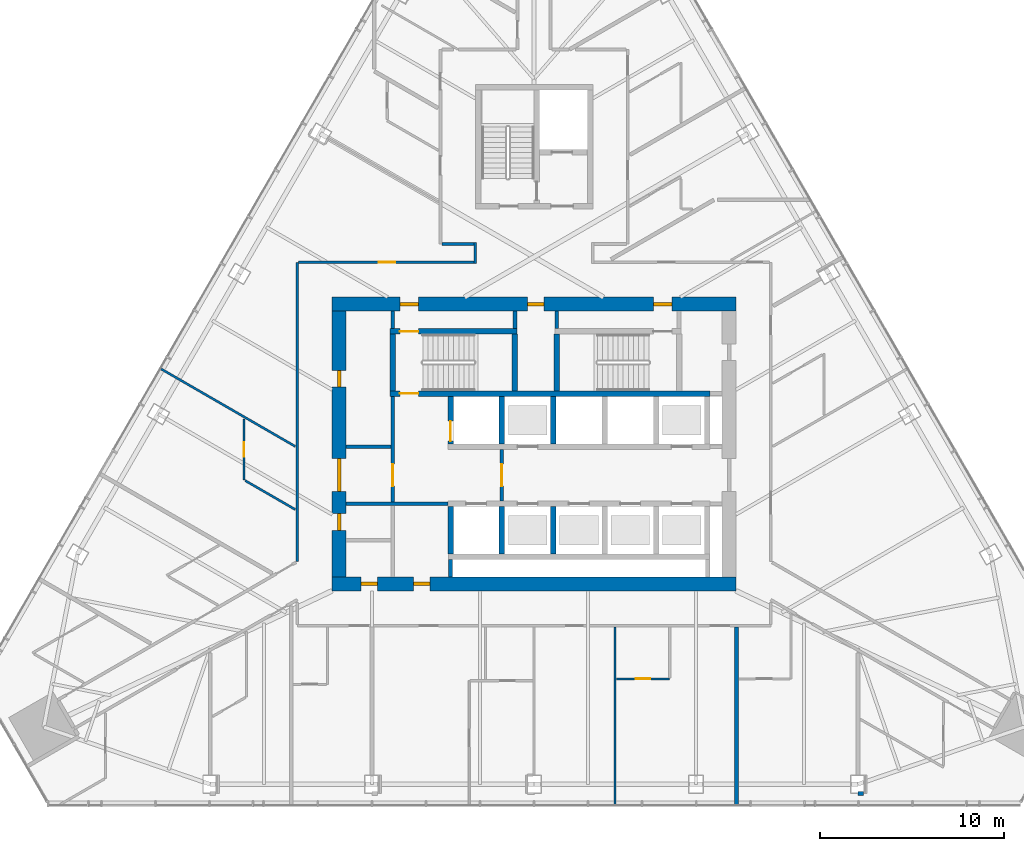
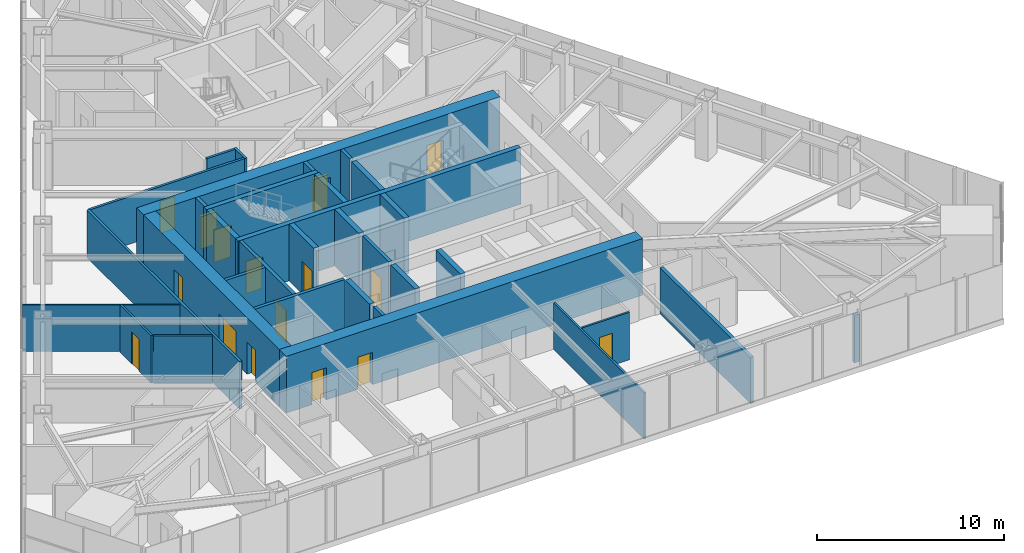
# One storey, part 14 of 19: 33 walls, 16 doors, 16 openings.
"""IFC4 building model written with IfcOpenShell, lengths in metres."""

from ifc_helpers import new_model, si_unit, direction, frame, frame_2d, origin, place, context, subcontext, project, spatial, rectangle, extrude, material, layer, layer_set, type_object, element, fill, save


model = new_model("IFC4")

# Units and contexts
model_context = context("Model", 3, precision=1e-05, world=origin(), true_north=direction((0.0, 1.0)))
body_context = subcontext(model_context, "Body", "Model", "MODEL_VIEW")
ifc_project = project(units=[si_unit("LENGTHUNIT", "METRE"), si_unit("AREAUNIT", "SQUARE_METRE"), si_unit("VOLUMEUNIT", "CUBIC_METRE"), si_unit("PLANEANGLEUNIT", "RADIAN"), si_unit("MASSUNIT", "GRAM", prefix="KILO")], contexts=[model_context])

# Site, building, storey
site_placement = place(None, origin())
site = spatial("IfcSite", under=ifc_project, at=site_placement, CompositionType="ELEMENT")
building_placement = place(site_placement, origin())
building = spatial("IfcBuilding", under=site, at=building_placement, Name="Firuza Gate Tower and Library", CompositionType="ELEMENT")
storey_placement = place(building_placement, frame((0.0, 0.0, 183.10009765625)))
storey = spatial("IfcBuildingStorey", under=building, at=storey_placement, Name="L42", CompositionType="ELEMENT", Elevation=183.10009765625)

# Walls
ifc_material_1 = material(Name="Plasterboard on steel studs", Category="steel")
ifc_layer_1 = layer(ifc_material_1, 0.199951171875)
ifc_layer_set_1 = layer_set([ifc_layer_1], Name="Core partition 200 EI 120")
wall_type_1 = type_object("IfcWallType", Name="Core partition 200 EI 120", PredefinedType="PARTITIONING", material=ifc_layer_set_1)
wall_1_placement = place(storey_placement, frame((64.75, 71.75, 0.0), z_axis=(0.0, 0.0, 1.0), x_axis=(1.0, 0.0, 0.0)))
element("IfcWall", 1, at=wall_1_placement, inside=storey, type_object=wall_type_1, Name="Core partition L42 2", PredefinedType="PARTITIONING", context=body_context, shape_type="SweptSolid", body=[
    extrude(rectangle(XDim=5.550048828125, YDim=0.199951171875, at=frame_2d((2.77490234375, 0.0))), origin(), (0.0, 0.0, 1.0), 3.699951171875),
])
wall_2_placement = place(storey_placement, frame((64.75, 74.85009765625, 0.0), z_axis=(0.0, 0.0, 1.0), x_axis=(1.0, 0.0, 0.0)))
element("IfcWall", 2, at=wall_2_placement, inside=storey, type_object=wall_type_1, Name="Core partition L42 4", PredefinedType="PARTITIONING", context=body_context, shape_type="SweptSolid", body=[
    extrude(rectangle(XDim=2.449951171875, YDim=0.199951171875, at=frame_2d((1.22509765625, 0.0))), origin(), (0.0, 0.0, 1.0), 3.699951171875),
])

# Wall, opening, door
wall_3_placement = place(storey_placement, frame((67.300048828125, 71.85009765625, 0.0), z_axis=(0.0, 0.0, 1.0), x_axis=(0.0, 1.0, 0.0)))
wall_3 = element("IfcWall", 3, at=wall_3_placement, inside=storey, type_object=wall_type_1, Name="Core partition L42 8", PredefinedType="PARTITIONING", context=body_context, shape_type="SweptSolid", body=[
    extrude(rectangle(XDim=5.75, YDim=0.199951171875, at=frame_2d((2.875, 0.0))), origin(), (0.0, 0.0, 1.0), 3.699951171875),
])
opening_1_placement = place(wall_3_placement, frame((0.85009765625, 0.0, 0.0)))
opening_1 = element("IfcOpeningElement", 4, at=opening_1_placement, cuts=wall_3, Name="Opening L42-K19", PredefinedType="OPENING", context=body_context, shape_type="SweptSolid", body=[
    extrude(rectangle(XDim=1.199951171875, YDim=2.10009765625, at=frame_2d((0.60009765625, 1.050048828125))), frame((0.0, 0.10986328125, 0.0), z_axis=(0.0, -1.0, 0.0), x_axis=(1.0, 0.0, 0.0)), (0.0, 0.0, 1.0), 0.219970703125),
])
ifc_material_2 = material(Name="Steel", Category="steel")
door_type_1 = type_object("IfcDoorType", Name="Fire door 1200x2100 FD90S", OperationType="NOTDEFINED", PredefinedType="DOOR", material=ifc_material_2)
door_1_placement = place(opening_1_placement, origin())
door_1 = element("IfcDoor", 5, at=door_1_placement, inside=storey, type_object=door_type_1, Name="Door L42-K19", OperationType="SINGLE_SWING_RIGHT", OverallHeight=2.10009765625, OverallWidth=1.199951171875, PredefinedType="DOOR", context=body_context, shape_type="SweptSolid", body=[
    extrude(rectangle(XDim=1.199951171875, YDim=2.10009765625, at=frame_2d((0.60009765625, 1.050048828125))), frame((0.0, 0.02490234375, 0.0), z_axis=(0.0, -1.0, 0.0), x_axis=(1.0, 0.0, 0.0)), (0.0, 0.0, 1.0), 0.050048828125),
])
fill(opening_1, door_1)

# Walls
wall_4_placement = place(storey_placement, frame((67.300048828125, 81.280029296875, 0.0), z_axis=(0.0, 0.0, 1.0), x_axis=(0.0, 1.0, 0.0)))
element("IfcWall", 6, at=wall_4_placement, inside=storey, type_object=wall_type_1, Name="Core partition L42 9", PredefinedType="PARTITIONING", context=body_context, shape_type="SweptSolid", body=[
    extrude(rectangle(XDim=0.969970703125, YDim=0.199951171875, at=frame_2d((0.48486328125, 0.0))), origin(), (0.0, 0.0, 1.0), 3.699951171875),
])
wall_5_placement = place(storey_placement, frame((70.449951171875, 67.75, 0.0), z_axis=(0.0, 0.0, 1.0), x_axis=(0.0, 1.0, 0.0)))
element("IfcWall", 7, at=wall_5_placement, inside=storey, type_object=wall_type_1, Name="Core partition L42 10", PredefinedType="PARTITIONING", context=body_context, shape_type="SweptSolid", body=[
    extrude(rectangle(XDim=0.949951171875, YDim=0.199951171875, at=frame_2d((0.47509765625, 0.0))), origin(), (0.0, 0.0, 1.0), 3.699951171875),
])

# Wall, opening, door
ifc_material_3 = material(Name="Plasterboard on steel studs", Category="steel")
ifc_layer_2 = layer(ifc_material_3, 0.199951171875)
ifc_layer_set_2 = layer_set([ifc_layer_2], Name="Core partition 200 EI 60")
wall_type_2 = type_object("IfcWallType", Name="Core partition 200 EI 60", PredefinedType="PARTITIONING", material=ifc_layer_set_2)
wall_6_placement = place(storey_placement, frame((73.25, 71.89990234375, 0.0), z_axis=(0.0, 0.0, 1.0), x_axis=(0.0, 1.0, 0.0)))
wall_6 = element("IfcWall", 8, at=wall_6_placement, inside=storey, type_object=wall_type_2, Name="Core partition L42 11", PredefinedType="PARTITIONING", context=body_context, shape_type="SweptSolid", body=[
    extrude(rectangle(XDim=2.800048828125, YDim=0.199951171875, at=frame_2d((1.39990234375, 0.0))), origin(), (0.0, 0.0, 1.0), 3.699951171875),
])
opening_2_placement = place(wall_6_placement, frame((0.800048828125, 0.0, 0.0)))
opening_2 = element("IfcOpeningElement", 9, at=opening_2_placement, cuts=wall_6, Name="Opening L42-K18", PredefinedType="OPENING", context=body_context, shape_type="SweptSolid", body=[
    extrude(rectangle(XDim=1.199951171875, YDim=2.10009765625, at=frame_2d((0.60009765625, 1.050048828125))), frame((0.0, 0.10986328125, 0.0), z_axis=(0.0, -1.0, 0.0), x_axis=(1.0, 0.0, 0.0)), (0.0, 0.0, 1.0), 0.219970703125),
])
door_2_placement = place(opening_2_placement, origin())
door_2 = element("IfcDoor", 10, at=door_2_placement, inside=storey, type_object=door_type_1, Name="Door L42-K18", OperationType="SINGLE_SWING_LEFT", OverallHeight=2.10009765625, OverallWidth=1.199951171875, PredefinedType="DOOR", context=body_context, shape_type="SweptSolid", body=[
    extrude(rectangle(XDim=1.199951171875, YDim=2.10009765625, at=frame_2d((0.60009765625, 1.050048828125))), frame((0.0, 0.02490234375, 0.0), z_axis=(0.0, -1.0, 0.0), x_axis=(1.0, 0.0, 0.0)), (0.0, 0.0, 1.0), 0.050048828125),
])
fill(opening_2, door_2)

# Walls
for number, where, z_axis, x_axis, name in (
    (11, (73.9599609375, 81.280029296875, 0.0), (0.0, 0.0, 1.0), (0.0, 1.0, 0.0), "Core partition L42 12"),
    (12, (76.239990234375, 81.280029296875, 0.0), (0.0, 0.0, 1.0), (0.0, 1.0, 0.0), "Core partition L42 13"),
):
    element("IfcWall", number, at=place(storey_placement, frame(where, z_axis=z_axis, x_axis=x_axis)), inside=storey, type_object=wall_type_2, Name=name, PredefinedType="PARTITIONING", context=body_context, shape_type="SweptSolid", body=[
        extrude(rectangle(XDim=0.969970703125, YDim=0.199951171875, at=frame_2d((0.48486328125, 0.0))), origin(), (0.0, 0.0, 1.0), 3.699951171875),
    ])
ifc_material_4 = material(Name="Concrete C80/95", Category="concrete")
ifc_layer_3 = layer(ifc_material_4, 0.300048828125)
ifc_layer_set_3 = layer_set([ifc_layer_3], Name="Core wall 300 C80/95")
wall_type_3 = type_object("IfcWallType", Name="Core wall 300 C80/95", PredefinedType="SHEAR", material=ifc_layer_set_3)
wall_7_placement = place(storey_placement, frame((70.449951171875, 69.0, 0.0), z_axis=(0.0, 0.0, 1.0), x_axis=(0.0, 1.0, 0.0)))
element("IfcWall", 13, at=wall_7_placement, inside=storey, type_object=wall_type_3, Name="Core wall L42 8", PredefinedType="SHEAR", context=body_context, shape_type="SweptSolid", body=[
    extrude(rectangle(XDim=2.60009765625, YDim=0.300048828125, at=frame_2d((1.300048828125, 0.0))), origin(), (0.0, 0.0, 1.0), 3.699951171875),
])

# Wall, opening, door
wall_8_placement = place(storey_placement, frame((70.449951171875, 75.0, 0.0), z_axis=(0.0, 0.0, 1.0), x_axis=(0.0, 1.0, 0.0)))
wall_8 = element("IfcWall", 14, at=wall_8_placement, inside=storey, type_object=wall_type_3, Name="Core wall L42 9", PredefinedType="SHEAR", context=body_context, shape_type="SweptSolid", body=[
    extrude(rectangle(XDim=2.60009765625, YDim=0.300048828125, at=frame_2d((1.300048828125, 0.0))), origin(), (0.0, 0.0, 1.0), 3.699951171875),
])
opening_3_placement = place(wall_8_placement, frame((0.14990234375, 0.0, 0.0)))
opening_3 = element("IfcOpeningElement", 15, at=opening_3_placement, cuts=wall_8, Name="Opening LD-FF2-L42", PredefinedType="OPENING", context=body_context, shape_type="SweptSolid", body=[
    extrude(rectangle(XDim=1.10009765625, YDim=2.10009765625, at=frame_2d((0.550048828125, 1.050048828125))), frame((0.0, 0.16015625, 0.0), z_axis=(0.0, -1.0, 0.0), x_axis=(1.0, 0.0, 0.0)), (0.0, 0.0, 1.0), 0.320068359375),
])
ifc_material_5 = material(Name="Stainless steel", Category="steel")
door_type_2 = type_object("IfcDoorType", Name="Lift landing door 1100x2100", OperationType="DOUBLE_DOOR_SLIDING", PredefinedType="DOOR", material=ifc_material_5)
door_3_placement = place(opening_3_placement, origin())
door_3 = element("IfcDoor", 16, at=door_3_placement, inside=storey, type_object=door_type_2, Name="Landing door FF2 L42", OperationType="DOUBLE_DOOR_SLIDING", OverallHeight=2.10009765625, OverallWidth=1.10009765625, PredefinedType="DOOR", context=body_context, shape_type="SweptSolid", body=[
    extrude(rectangle(XDim=1.10009765625, YDim=2.10009765625, at=frame_2d((0.550048828125, 1.050048828125))), frame((0.0, 0.02490234375, 0.0), z_axis=(0.0, -1.0, 0.0), x_axis=(1.0, 0.0, 0.0)), (0.0, 0.0, 1.0), 0.050048828125),
])
fill(opening_3, door_3)

# Walls
for number, where, z_axis, x_axis, name in (
    (17, (73.25, 69.0, 0.0), (0.0, 0.0, 1.0), (0.0, 1.0, 0.0), "Core wall L42 10"),
    (18, (73.25, 75.0, 0.0), (0.0, 0.0, 1.0), (0.0, 1.0, 0.0), "Core wall L42 11"),
    (19, (76.050048828125, 69.0, 0.0), (0.0, 0.0, 1.0), (0.0, 1.0, 0.0), "Core wall L42 12"),
    (20, (76.050048828125, 75.0, 0.0), (0.0, 0.0, 1.0), (0.0, 1.0, 0.0), "Core wall L42 13"),
):
    element("IfcWall", number, at=place(storey_placement, frame(where, z_axis=z_axis, x_axis=x_axis)), inside=storey, type_object=wall_type_3, Name=name, PredefinedType="SHEAR", context=body_context, shape_type="SweptSolid", body=[
        extrude(rectangle(XDim=2.60009765625, YDim=0.300048828125, at=frame_2d((1.300048828125, 0.0))), origin(), (0.0, 0.0, 1.0), 3.699951171875),
    ])

# Wall, opening, door
wall_9_placement = place(storey_placement, frame((67.14990234375, 77.75, 0.0), z_axis=(0.0, 0.0, 1.0), x_axis=(1.0, 0.0, 0.0)))
wall_9 = element("IfcWall", 21, at=wall_9_placement, inside=storey, type_object=wall_type_3, Name="Core wall L42 20", PredefinedType="SHEAR", context=body_context, shape_type="SweptSolid", body=[
    extrude(rectangle(XDim=17.4501953125, YDim=0.300048828125, at=frame_2d((8.72509765625, 0.0))), origin(), (0.0, 0.0, 1.0), 3.699951171875),
])
opening_4_placement = place(wall_9_placement, frame((0.544921875, 0.0, 0.0)))
opening_4 = element("IfcOpeningElement", 22, at=opening_4_placement, cuts=wall_9, Name="Opening L42-K10", PredefinedType="OPENING", context=body_context, shape_type="SweptSolid", body=[
    extrude(rectangle(XDim=1.0, YDim=2.10009765625, at=frame_2d((0.5, 1.050048828125))), frame((0.0, 0.16015625, 0.0), z_axis=(0.0, -1.0, 0.0), x_axis=(1.0, 0.0, 0.0)), (0.0, 0.0, 1.0), 0.320068359375),
])
ifc_material_6 = material(Name="Steel", Category="steel")
door_type_3 = type_object("IfcDoorType", Name="Fire door 1000x2100 FD90", OperationType="NOTDEFINED", PredefinedType="DOOR", material=ifc_material_6)
door_4_placement = place(opening_4_placement, origin())
door_4 = element("IfcDoor", 23, at=door_4_placement, inside=storey, type_object=door_type_3, Name="Door L42-K10", OperationType="SINGLE_SWING_LEFT", OverallHeight=2.10009765625, OverallWidth=1.0, PredefinedType="DOOR", context=body_context, shape_type="SweptSolid", body=[
    extrude(rectangle(XDim=1.0, YDim=2.10009765625, at=frame_2d((0.5, 1.050048828125))), frame((0.0, 0.02490234375, 0.0), z_axis=(0.0, -1.0, 0.0), x_axis=(1.0, 0.0, 0.0)), (0.0, 0.0, 1.0), 0.050048828125),
])
fill(opening_4, door_4)

wall_10_placement = place(storey_placement, frame((67.14990234375, 81.1298828125, 0.0), z_axis=(0.0, 0.0, 1.0), x_axis=(1.0, 0.0, 0.0)))
wall_10 = element("IfcWall", 24, at=wall_10_placement, inside=storey, type_object=wall_type_3, Name="Core wall L42 21", PredefinedType="SHEAR", context=body_context, shape_type="SweptSolid", body=[
    extrude(rectangle(XDim=6.91015625, YDim=0.300048828125, at=frame_2d((3.455078125, 0.0))), origin(), (0.0, 0.0, 1.0), 3.699951171875),
])
opening_5_placement = place(wall_10_placement, frame((0.544921875, 0.0, 0.0)))
opening_5 = element("IfcOpeningElement", 25, at=opening_5_placement, cuts=wall_10, Name="Opening L42-K11", PredefinedType="OPENING", context=body_context, shape_type="SweptSolid", body=[
    extrude(rectangle(XDim=1.0, YDim=2.10009765625, at=frame_2d((0.5, 1.050048828125))), frame((0.0, 0.16015625, 0.0), z_axis=(0.0, -1.0, 0.0), x_axis=(1.0, 0.0, 0.0)), (0.0, 0.0, 1.0), 0.320068359375),
])
door_5_placement = place(opening_5_placement, origin())
door_5 = element("IfcDoor", 26, at=door_5_placement, inside=storey, type_object=door_type_3, Name="Door L42-K11", OperationType="SINGLE_SWING_RIGHT", OverallHeight=2.10009765625, OverallWidth=1.0, PredefinedType="DOOR", context=body_context, shape_type="SweptSolid", body=[
    extrude(rectangle(XDim=1.0, YDim=2.10009765625, at=frame_2d((0.5, 1.050048828125))), frame((0.0, 0.02490234375, 0.0), z_axis=(0.0, -1.0, 0.0), x_axis=(1.0, 0.0, 0.0)), (0.0, 0.0, 1.0), 0.050048828125),
])
fill(opening_5, door_5)

# Walls
for number, where, z_axis, x_axis, name in (
    (27, (67.300048828125, 77.89990234375, 0.0), (0.0, 0.0, 1.0), (0.0, 1.0, 0.0), "Core wall L42 23"),
    (28, (73.9599609375, 77.89990234375, 0.0), (0.0, 0.0, 1.0), (0.0, 1.0, 0.0), "Core wall L42 24"),
    (29, (76.239990234375, 77.89990234375, 0.0), (0.0, 0.0, 1.0), (0.0, 1.0, 0.0), "Core wall L42 25"),
):
    element("IfcWall", number, at=place(storey_placement, frame(where, z_axis=z_axis, x_axis=x_axis)), inside=storey, type_object=wall_type_3, Name=name, PredefinedType="SHEAR", context=body_context, shape_type="SweptSolid", body=[
        extrude(rectangle(XDim=3.080078125, YDim=0.300048828125, at=frame_2d((1.5400390625, 0.0))), origin(), (0.0, 0.0, 1.0), 3.699951171875),
    ])

# Wall, openings, doors
ifc_material_7 = material(Name="Concrete C80/95", Category="concrete")
ifc_layer_4 = layer(ifc_material_7, 0.75)
ifc_layer_set_4 = layer_set([ifc_layer_4], Name="Core wall 750 C80/95")
wall_type_4 = type_object("IfcWallType", Name="Core wall 750 C80/95", PredefinedType="SHEAR", material=ifc_layer_set_4)
wall_11_placement = place(storey_placement, frame((64.0, 67.375, 0.0), z_axis=(0.0, 0.0, 1.0), x_axis=(1.0, 0.0, 0.0)))
wall_11 = element("IfcWall", 30, at=wall_11_placement, inside=storey, type_object=wall_type_4, Name="Core wall L42 1", PredefinedType="SHEAR", context=body_context, shape_type="SweptSolid", body=[
    extrude(rectangle(XDim=22.0, YDim=0.75, at=frame_2d((11.0, 0.0))), origin(), (0.0, 0.0, 1.0), 3.699951171875),
])
opening_6_placement = place(wall_11_placement, frame((1.574951171875, 0.0, 0.0)))
opening_6 = element("IfcOpeningElement", 31, at=opening_6_placement, cuts=wall_11, Name="Opening L42-K22", PredefinedType="OPENING", context=body_context, shape_type="SweptSolid", body=[
    extrude(rectangle(XDim=0.89990234375, YDim=2.10009765625, at=frame_2d((0.449951171875, 1.050048828125))), frame((0.0, 0.385009765625, 0.0), z_axis=(0.0, -1.0, 0.0), x_axis=(1.0, 0.0, 0.0)), (0.0, 0.0, 1.0), 0.77001953125),
])
opening_7_placement = place(wall_11_placement, frame((4.425048828125, 0.0, 0.0)))
opening_7 = element("IfcOpeningElement", 32, at=opening_7_placement, cuts=wall_11, Name="Opening L42-K24", PredefinedType="OPENING", context=body_context, shape_type="SweptSolid", body=[
    extrude(rectangle(XDim=0.89990234375, YDim=2.10009765625, at=frame_2d((0.449951171875, 1.050048828125))), frame((0.0, 0.385009765625, 0.0), z_axis=(0.0, -1.0, 0.0), x_axis=(1.0, 0.0, 0.0)), (0.0, 0.0, 1.0), 0.77001953125),
])
ifc_material_8 = material(Name="Steel", Category="steel")
door_type_4 = type_object("IfcDoorType", Name="Fire door 900x2100 FD30S", OperationType="NOTDEFINED", PredefinedType="DOOR", material=ifc_material_8)
door_6_placement = place(opening_6_placement, origin())
door_6 = element("IfcDoor", 33, at=door_6_placement, inside=storey, type_object=door_type_4, Name="Door L42-K22", OperationType="SINGLE_SWING_LEFT", OverallHeight=2.10009765625, OverallWidth=0.89990234375, PredefinedType="DOOR", context=body_context, shape_type="SweptSolid", body=[
    extrude(rectangle(XDim=0.89990234375, YDim=2.10009765625, at=frame_2d((0.449951171875, 1.050048828125))), frame((0.0, 0.094970703125, 0.0), z_axis=(0.0, -1.0, 0.0), x_axis=(1.0, 0.0, 0.0)), (0.0, 0.0, 1.0), 0.18994140625),
])
fill(opening_6, door_6)
door_7_placement = place(opening_7_placement, origin())
door_7 = element("IfcDoor", 34, at=door_7_placement, inside=storey, type_object=door_type_4, Name="Door L42-K24", OperationType="SINGLE_SWING_LEFT", OverallHeight=2.10009765625, OverallWidth=0.89990234375, PredefinedType="DOOR", context=body_context, shape_type="SweptSolid", body=[
    extrude(rectangle(XDim=0.89990234375, YDim=2.10009765625, at=frame_2d((0.449951171875, 1.050048828125))), frame((0.0, 0.094970703125, 0.0), z_axis=(0.0, -1.0, 0.0), x_axis=(1.0, 0.0, 0.0)), (0.0, 0.0, 1.0), 0.18994140625),
])
fill(opening_7, door_7)

wall_12_placement = place(storey_placement, frame((64.0, 82.625, 0.0), z_axis=(0.0, 0.0, 1.0), x_axis=(1.0, 0.0, 0.0)))
wall_12 = element("IfcWall", 35, at=wall_12_placement, inside=storey, type_object=wall_type_4, Name="Core wall L42 2", PredefinedType="SHEAR", context=body_context, shape_type="SweptSolid", body=[
    extrude(rectangle(XDim=22.0, YDim=0.75, at=frame_2d((11.0, 0.0))), origin(), (0.0, 0.0, 1.0), 3.699951171875),
])
opening_8_placement = place(wall_12_placement, frame((3.695068359375, 0.0, 0.0)))
opening_8 = element("IfcOpeningElement", 36, at=opening_8_placement, cuts=wall_12, Name="Opening L42-K12", PredefinedType="OPENING", context=body_context, shape_type="SweptSolid", body=[
    extrude(rectangle(XDim=1.0, YDim=2.10009765625, at=frame_2d((0.5, 1.050048828125))), frame((0.0, 0.385009765625, 0.0), z_axis=(0.0, -1.0, 0.0), x_axis=(1.0, 0.0, 0.0)), (0.0, 0.0, 1.0), 0.77001953125),
])
opening_9_placement = place(wall_12_placement, frame((17.5048828125, 0.0, 0.0)))
opening_9 = element("IfcOpeningElement", 37, at=opening_9_placement, cuts=wall_12, Name="Opening L42-K14", PredefinedType="OPENING", context=body_context, shape_type="SweptSolid", body=[
    extrude(rectangle(XDim=1.0, YDim=2.10009765625, at=frame_2d((0.5, 1.050048828125))), frame((0.0, 0.385009765625, 0.0), z_axis=(0.0, -1.0, 0.0), x_axis=(1.0, 0.0, 0.0)), (0.0, 0.0, 1.0), 0.77001953125),
])
opening_10_placement = place(wall_12_placement, frame((10.64990234375, 0.0, 0.0)))
opening_10 = element("IfcOpeningElement", 38, at=opening_10_placement, cuts=wall_12, Name="Opening L42-K26", PredefinedType="OPENING", context=body_context, shape_type="SweptSolid", body=[
    extrude(rectangle(XDim=0.89990234375, YDim=2.10009765625, at=frame_2d((0.449951171875, 1.050048828125))), frame((0.0, 0.385009765625, 0.0), z_axis=(0.0, -1.0, 0.0), x_axis=(1.0, 0.0, 0.0)), (0.0, 0.0, 1.0), 0.77001953125),
])
door_8_placement = place(opening_8_placement, origin())
door_8 = element("IfcDoor", 39, at=door_8_placement, inside=storey, type_object=door_type_3, Name="Door L42-K12", OperationType="SINGLE_SWING_LEFT", OverallHeight=2.10009765625, OverallWidth=1.0, PredefinedType="DOOR", context=body_context, shape_type="SweptSolid", body=[
    extrude(rectangle(XDim=1.0, YDim=2.10009765625, at=frame_2d((0.5, 1.050048828125))), frame((0.0, 0.094970703125, 0.0), z_axis=(0.0, -1.0, 0.0), x_axis=(1.0, 0.0, 0.0)), (0.0, 0.0, 1.0), 0.18994140625),
])
fill(opening_8, door_8)
door_9_placement = place(opening_9_placement, origin())
door_9 = element("IfcDoor", 40, at=door_9_placement, inside=storey, type_object=door_type_3, Name="Door L42-K14", OperationType="SINGLE_SWING_LEFT", OverallHeight=2.10009765625, OverallWidth=1.0, PredefinedType="DOOR", context=body_context, shape_type="SweptSolid", body=[
    extrude(rectangle(XDim=1.0, YDim=2.10009765625, at=frame_2d((0.5, 1.050048828125))), frame((0.0, 0.094970703125, 0.0), z_axis=(0.0, -1.0, 0.0), x_axis=(1.0, 0.0, 0.0)), (0.0, 0.0, 1.0), 0.18994140625),
])
fill(opening_9, door_9)
door_10_placement = place(opening_10_placement, origin())
door_10 = element("IfcDoor", 41, at=door_10_placement, inside=storey, type_object=door_type_4, Name="Door L42-K26", OperationType="SINGLE_SWING_LEFT", OverallHeight=2.10009765625, OverallWidth=0.89990234375, PredefinedType="DOOR", context=body_context, shape_type="SweptSolid", body=[
    extrude(rectangle(XDim=0.89990234375, YDim=2.10009765625, at=frame_2d((0.449951171875, 1.050048828125))), frame((0.0, 0.094970703125, 0.0), z_axis=(0.0, -1.0, 0.0), x_axis=(1.0, 0.0, 0.0)), (0.0, 0.0, 1.0), 0.18994140625),
])
fill(opening_10, door_10)

wall_13_placement = place(storey_placement, frame((64.375, 67.75, 0.0), z_axis=(0.0, 0.0, 1.0), x_axis=(0.0, 1.0, 0.0)))
wall_13 = element("IfcWall", 42, at=wall_13_placement, inside=storey, type_object=wall_type_4, Name="Core wall L42 3", PredefinedType="SHEAR", context=body_context, shape_type="SweptSolid", body=[
    extrude(rectangle(XDim=14.5, YDim=0.75, at=frame_2d((7.25, 0.0))), origin(), (0.0, 0.0, 1.0), 3.699951171875),
])
opening_11_placement = place(wall_13_placement, frame((4.64990234375, 0.0, 0.0)))
opening_11 = element("IfcOpeningElement", 43, at=opening_11_placement, cuts=wall_13, Name="Opening L42-K20", PredefinedType="OPENING", context=body_context, shape_type="SweptSolid", body=[
    extrude(rectangle(XDim=1.800048828125, YDim=2.10009765625, at=frame_2d((0.89990234375, 1.050048828125))), frame((0.0, 0.385009765625, 0.0), z_axis=(0.0, -1.0, 0.0), x_axis=(1.0, 0.0, 0.0)), (0.0, 0.0, 1.0), 0.77001953125),
])
opening_12_placement = place(wall_13_placement, frame((2.550048828125, 0.0, 0.0)))
opening_12 = element("IfcOpeningElement", 44, at=opening_12_placement, cuts=wall_13, Name="Opening L42-K23", PredefinedType="OPENING", context=body_context, shape_type="SweptSolid", body=[
    extrude(rectangle(XDim=0.89990234375, YDim=2.10009765625, at=frame_2d((0.449951171875, 1.050048828125))), frame((0.0, 0.385009765625, 0.0), z_axis=(0.0, -1.0, 0.0), x_axis=(1.0, 0.0, 0.0)), (0.0, 0.0, 1.0), 0.77001953125),
])
opening_13_placement = place(wall_13_placement, frame((10.35009765625, 0.0, 0.0)))
opening_13 = element("IfcOpeningElement", 45, at=opening_13_placement, cuts=wall_13, Name="Opening L42-K25", PredefinedType="OPENING", context=body_context, shape_type="SweptSolid", body=[
    extrude(rectangle(XDim=0.89990234375, YDim=2.10009765625, at=frame_2d((0.449951171875, 1.050048828125))), frame((0.0, 0.385009765625, 0.0), z_axis=(0.0, -1.0, 0.0), x_axis=(1.0, 0.0, 0.0)), (0.0, 0.0, 1.0), 0.77001953125),
])
ifc_material_9 = material(Name="Steel", Category="steel")
door_type_5 = type_object("IfcDoorType", Name="Fire door 1800x2100 FD30S", OperationType="NOTDEFINED", PredefinedType="DOOR", material=ifc_material_9)
door_11_placement = place(opening_11_placement, origin())
door_11 = element("IfcDoor", 46, at=door_11_placement, inside=storey, type_object=door_type_5, Name="Door L42-K20", OperationType="SINGLE_SWING_LEFT", OverallHeight=2.10009765625, OverallWidth=1.800048828125, PredefinedType="DOOR", context=body_context, shape_type="SweptSolid", body=[
    extrude(rectangle(XDim=1.800048828125, YDim=2.10009765625, at=frame_2d((0.89990234375, 1.050048828125))), frame((0.0, 0.094970703125, 0.0), z_axis=(0.0, -1.0, 0.0), x_axis=(1.0, 0.0, 0.0)), (0.0, 0.0, 1.0), 0.18994140625),
])
fill(opening_11, door_11)
door_12_placement = place(opening_12_placement, origin())
door_12 = element("IfcDoor", 47, at=door_12_placement, inside=storey, type_object=door_type_4, Name="Door L42-K23", OperationType="SINGLE_SWING_RIGHT", OverallHeight=2.10009765625, OverallWidth=0.89990234375, PredefinedType="DOOR", context=body_context, shape_type="SweptSolid", body=[
    extrude(rectangle(XDim=0.89990234375, YDim=2.10009765625, at=frame_2d((0.449951171875, 1.050048828125))), frame((0.0, 0.094970703125, 0.0), z_axis=(0.0, -1.0, 0.0), x_axis=(1.0, 0.0, 0.0)), (0.0, 0.0, 1.0), 0.18994140625),
])
fill(opening_12, door_12)
door_13_placement = place(opening_13_placement, origin())
door_13 = element("IfcDoor", 48, at=door_13_placement, inside=storey, type_object=door_type_4, Name="Door L42-K25", OperationType="SINGLE_SWING_RIGHT", OverallHeight=2.10009765625, OverallWidth=0.89990234375, PredefinedType="DOOR", context=body_context, shape_type="SweptSolid", body=[
    extrude(rectangle(XDim=0.89990234375, YDim=2.10009765625, at=frame_2d((0.449951171875, 1.050048828125))), frame((0.0, 0.094970703125, 0.0), z_axis=(0.0, -1.0, 0.0), x_axis=(1.0, 0.0, 0.0)), (0.0, 0.0, 1.0), 0.18994140625),
])
fill(opening_13, door_13)

# Wall, opening, door
ifc_material_10 = material(Name="Gypsum board partition")
ifc_layer_5 = layer(ifc_material_10, 0.14990234375)
ifc_layer_set_5 = layer_set([ifc_layer_5], Name="Corridor wall 150 double board on steel studs")
wall_type_5 = type_object("IfcWallType", Name="Corridor wall 150 double board on steel studs", PredefinedType="PARTITIONING", material=ifc_layer_set_5)
wall_14_placement = place(storey_placement, frame((71.72509765625, 84.89990234375, 0.0), z_axis=(0.0, 0.0, 1.0), x_axis=(-1.0, 0.0, 0.0)))
wall_14 = element("IfcWall", 49, at=wall_14_placement, inside=storey, type_object=wall_type_5, Name="f:L42:w010", PredefinedType="PARTITIONING", context=body_context, shape_type="SweptSolid", body=[
    extrude(rectangle(XDim=9.549560546875, YDim=0.14990234375, at=frame_2d((4.77490234375, 0.0))), origin(), (0.0, 0.0, 1.0), 3.099853515625),
])
opening_14_placement = place(wall_14_placement, frame((4.287353515625, 0.0, 0.0)))
opening_14 = element("IfcOpeningElement", 50, at=opening_14_placement, cuts=wall_14, Name="Opening L42-09", PredefinedType="OPENING", context=body_context, shape_type="SweptSolid", body=[
    extrude(rectangle(XDim=0.89990234375, YDim=2.10009765625, at=frame_2d((0.449951171875, 1.050048828125))), frame((0.0, 0.0849609375, 0.0), z_axis=(0.0, -1.0, 0.0), x_axis=(1.0, 0.0, 0.0)), (0.0, 0.0, 1.0), 0.169921875),
])
ifc_material_11 = material(Name="Steel door and timber leaf", Category="steel")
door_type_6 = type_object("IfcDoorType", Name="Fire door 900 x 2100 steel frame, timber leaf", OperationType="NOTDEFINED", PredefinedType="DOOR", material=ifc_material_11)
door_14_placement = place(opening_14_placement, origin())
door_14 = element("IfcDoor", 51, at=door_14_placement, inside=storey, type_object=door_type_6, Name="f:L42:d009", OperationType="SINGLE_SWING_LEFT", OverallHeight=2.10009765625, OverallWidth=0.89990234375, PredefinedType="DOOR", context=body_context, shape_type="SweptSolid", body=[
    extrude(rectangle(XDim=0.89990234375, YDim=2.10009765625, at=frame_2d((0.449951171875, 1.050048828125))), frame((0.0, 0.02490234375, 0.0), z_axis=(0.0, -1.0, 0.0), x_axis=(1.0, 0.0, 0.0)), (0.0, 0.0, 1.0), 0.050048828125),
])
fill(opening_14, door_14)

# Walls
wall_15_placement = place(storey_placement, frame((69.9755859375, 85.89990234375, 0.0), z_axis=(0.0, 0.0, 1.0), x_axis=(1.0, 0.0, 0.0)))
element("IfcWall", 52, at=wall_15_placement, inside=storey, type_object=wall_type_5, Name="f:L42:w012", PredefinedType="PARTITIONING", context=body_context, shape_type="SweptSolid", body=[
    extrude(rectangle(XDim=1.74951171875, YDim=0.14990234375, at=frame_2d((0.874755859375, 0.0))), origin(), (0.0, 0.0, 1.0), 3.099853515625),
])
wall_16_placement = place(storey_placement, frame((71.800048828125, 84.824951171875, 0.0), z_axis=(0.0, 0.0, 1.0), x_axis=(0.0, 1.0, 0.0)))
element("IfcWall", 53, at=wall_16_placement, inside=storey, type_object=wall_type_5, Name="f:L42:w064", PredefinedType="PARTITIONING", context=body_context, shape_type="SweptSolid", body=[
    extrude(rectangle(XDim=1.150146484375, YDim=0.14990234375, at=frame_2d((0.5751953125, 0.0))), origin(), (0.0, 0.0, 1.0), 3.099853515625),
])
wall_17_placement = place(storey_placement, frame((62.10009765625, 68.59130859375, 0.0), z_axis=(0.0, 0.0, 1.0), x_axis=(0.0, 1.0, 0.0)))
element("IfcWall", 54, at=wall_17_placement, inside=storey, type_object=wall_type_5, Name="f:L42:w074", PredefinedType="PARTITIONING", context=body_context, shape_type="SweptSolid", body=[
    extrude(rectangle(XDim=16.30810546875, YDim=0.14990234375, at=frame_2d((8.154052734375, 0.0))), origin(), (0.0, 0.0, 1.0), 3.099853515625),
])
ifc_material_12 = material(Name="Gypsum board partition")
ifc_layer_6 = layer(ifc_material_12, 0.199951171875)
ifc_layer_set_6 = layer_set([ifc_layer_6], Name="Demising wall 200 acoustic double stud")
wall_type_6 = type_object("IfcWallType", Name="Demising wall 200 acoustic double stud", PredefinedType="PARTITIONING", material=ifc_layer_set_6)
wall_18_placement = place(storey_placement, frame((92.647705078125, 55.9599609375, 0.0), z_axis=(0.0, 0.0, 1.0), x_axis=(1.0, 0.0, 0.0)))
element("IfcWall", 55, at=wall_18_placement, inside=storey, type_object=wall_type_6, Name="f:L42:w003", PredefinedType="PARTITIONING", context=body_context, shape_type="SweptSolid", body=[
    extrude(rectangle(XDim=0.299560546875, YDim=0.199951171875, at=frame_2d((0.14990234375, 0.0))), origin(), (0.0, 0.0, 1.0), 3.099853515625),
])
wall_19_placement = place(storey_placement, frame((86.030029296875, 55.359619140625, 0.0), z_axis=(0.0, 0.0, 1.0), x_axis=(0.0, 1.0, 0.0)))
element("IfcWall", 56, at=wall_19_placement, inside=storey, type_object=wall_type_6, Name="f:L42:w050", PredefinedType="PARTITIONING", context=body_context, shape_type="SweptSolid", body=[
    extrude(rectangle(XDim=9.665283203125, YDim=0.199951171875, at=frame_2d((4.83251953125, 0.0))), origin(), (0.0, 0.0, 1.0), 3.02197265625),
])

# Wall, opening, door
ifc_material_13 = material(Name="Gypsum board partition")
ifc_layer_7 = layer(ifc_material_13, 0.1201171875)
ifc_layer_set_7 = layer_set([ifc_layer_7], Name="Wet-area partition 120 moisture-resistant board")
wall_type_7 = type_object("IfcWallType", Name="Wet-area partition 120 moisture-resistant board", PredefinedType="PARTITIONING", material=ifc_layer_set_7)
wall_20_placement = place(storey_placement, frame((79.48193359375, 62.199951171875, 0.0), z_axis=(0.0, 0.0, 1.0), x_axis=(1.0, 0.0, 0.0)))
wall_20 = element("IfcWall", 57, at=wall_20_placement, inside=storey, type_object=wall_type_7, Name="f:L42:w007", PredefinedType="PARTITIONING", context=body_context, shape_type="SweptSolid", body=[
    extrude(rectangle(XDim=2.907958984375, YDim=0.1201171875, at=frame_2d((1.4541015625, 0.0))), origin(), (0.0, 0.0, 1.0), 3.099853515625),
])
opening_15_placement = place(wall_20_placement, frame((1.053955078125, 0.0, 0.0)))
opening_15 = element("IfcOpeningElement", 58, at=opening_15_placement, cuts=wall_20, Name="Opening L42-03", PredefinedType="OPENING", context=body_context, shape_type="SweptSolid", body=[
    extrude(rectangle(XDim=0.800048828125, YDim=2.10009765625, at=frame_2d((0.39990234375, 1.050048828125))), frame((0.0, 0.070068359375, 0.0), z_axis=(0.0, -1.0, 0.0), x_axis=(1.0, 0.0, 0.0)), (0.0, 0.0, 1.0), 0.14013671875),
])
ifc_material_14 = material(Name="Timber door", Category="wood")
door_type_7 = type_object("IfcDoorType", Name="Door 800 x 2100 timber leaf", OperationType="NOTDEFINED", PredefinedType="DOOR", material=ifc_material_14)
door_15_placement = place(opening_15_placement, origin())
door_15 = element("IfcDoor", 59, at=door_15_placement, inside=storey, type_object=door_type_7, Name="f:L42:d003", OperationType="SINGLE_SWING_RIGHT", OverallHeight=2.10009765625, OverallWidth=0.800048828125, PredefinedType="DOOR", context=body_context, shape_type="SweptSolid", body=[
    extrude(rectangle(XDim=0.800048828125, YDim=2.10009765625, at=frame_2d((0.39990234375, 1.050048828125))), frame((0.0, 0.02490234375, 0.0), z_axis=(0.0, -1.0, 0.0), x_axis=(1.0, 0.0, 0.0)), (0.0, 0.0, 1.0), 0.050048828125),
])
fill(opening_15, door_15)

# Wall
wall_21_placement = place(storey_placement, frame((79.412109375, 55.359619140625, 0.0), z_axis=(0.0, 0.0, 1.0), x_axis=(0.0, 1.0, 0.0)))
element("IfcWall", 60, at=wall_21_placement, inside=storey, type_object=wall_type_7, Name="f:L42:w055", PredefinedType="PARTITIONING", context=body_context, shape_type="SweptSolid", body=[
    extrude(rectangle(XDim=9.665283203125, YDim=0.1201171875, at=frame_2d((4.83251953125, 0.0))), origin(), (0.0, 0.0, 1.0), 3.02197265625),
])

# Wall, opening, door
wall_22_placement = place(storey_placement, frame((59.199951171875, 76.37109375, 0.0), z_axis=(0.0, 0.0, 1.0), x_axis=(0.0, -1.0, 0.0)))
wall_22 = element("IfcWall", 61, at=wall_22_placement, inside=storey, type_object=wall_type_7, Name="f:L42:w077", PredefinedType="PARTITIONING", context=body_context, shape_type="SweptSolid", body=[
    extrude(rectangle(XDim=3.329345703125, YDim=0.1201171875, at=frame_2d((1.66455078125, 0.0))), origin(), (0.0, 0.0, 1.0), 3.099853515625),
])
opening_16_placement = place(wall_22_placement, frame((1.2646484375, 0.0, 0.0)))
opening_16 = element("IfcOpeningElement", 62, at=opening_16_placement, cuts=wall_22, Name="Opening L42-36", PredefinedType="OPENING", context=body_context, shape_type="SweptSolid", body=[
    extrude(rectangle(XDim=0.800048828125, YDim=2.10009765625, at=frame_2d((0.39990234375, 1.050048828125))), frame((0.0, 0.070068359375, 0.0), z_axis=(0.0, -1.0, 0.0), x_axis=(1.0, 0.0, 0.0)), (0.0, 0.0, 1.0), 0.14013671875),
])
door_16_placement = place(opening_16_placement, origin())
door_16 = element("IfcDoor", 63, at=door_16_placement, inside=storey, type_object=door_type_7, Name="f:L42:d036", OperationType="SINGLE_SWING_LEFT", OverallHeight=2.10009765625, OverallWidth=0.800048828125, PredefinedType="DOOR", context=body_context, shape_type="SweptSolid", body=[
    extrude(rectangle(XDim=0.800048828125, YDim=2.10009765625, at=frame_2d((0.39990234375, 1.050048828125))), frame((0.0, 0.02490234375, 0.0), z_axis=(0.0, -1.0, 0.0), x_axis=(1.0, 0.0, 0.0)), (0.0, 0.0, 1.0), 0.050048828125),
])
fill(opening_16, door_16)

# Walls
wall_23_placement = place(storey_placement, frame((61.990234375, 74.869384765625, 0.0), z_axis=(0.0, 0.0, 1.0), x_axis=(-0.866017924271, 0.500012954673, 0.0)))
element("IfcWall", 64, at=wall_23_placement, inside=storey, type_object=wall_type_7, Name="f:L42:w094", PredefinedType="PARTITIONING", context=body_context, shape_type="SweptSolid", body=[
    extrude(rectangle(XDim=8.438720703125, YDim=0.1201171875, at=frame_2d((4.21923828125, 0.0))), origin(), (0.0, 0.0, 1.0), 3.02197265625),
])
wall_24_placement = place(storey_placement, frame((61.990478515625, 71.4306640625, 0.0), z_axis=(0.0, 0.0, 1.0), x_axis=(-0.866028267601, 0.499995039691, 0.0)))
element("IfcWall", 65, at=wall_24_placement, inside=storey, type_object=wall_type_7, Name="f:L42:w095", PredefinedType="PARTITIONING", context=body_context, shape_type="SweptSolid", body=[
    extrude(rectangle(XDim=3.15283203125, YDim=0.1201171875, at=frame_2d((1.576416015625, 0.0))), origin(), (0.0, 0.0, 1.0), 3.099853515625),
])

save(model, "model.ifc")
